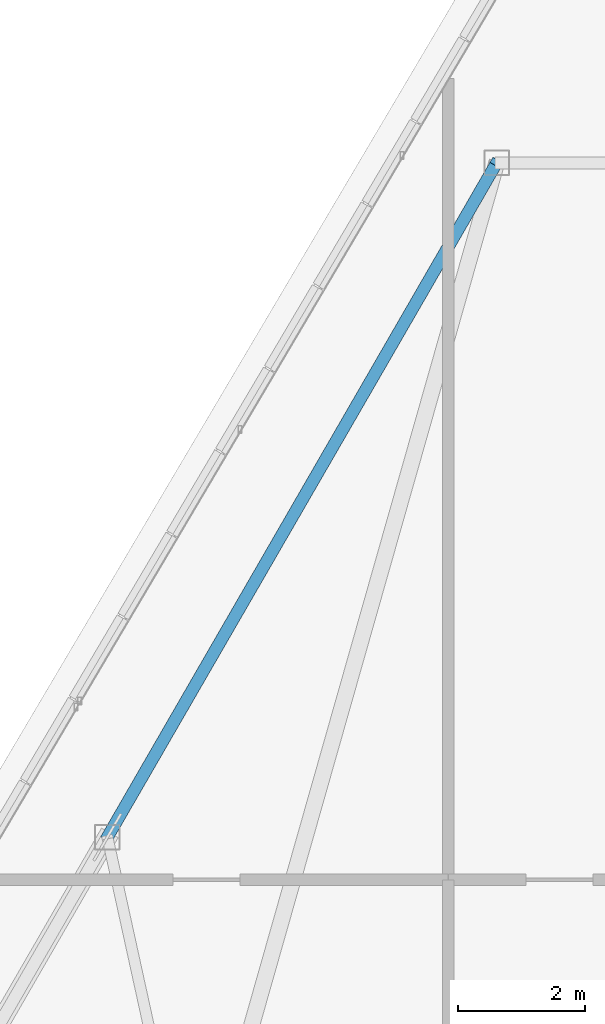
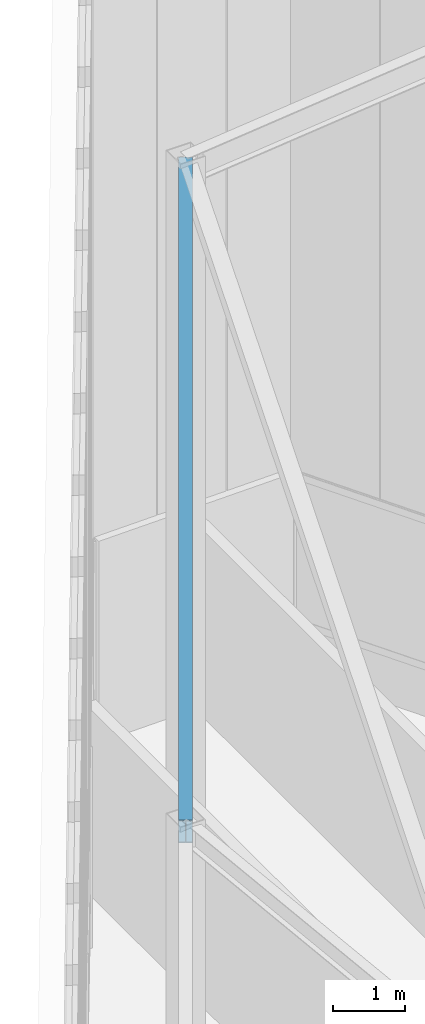
# One storey, part 35 of 50: 1 beam.
"""IFC4 building model written with IfcOpenShell, lengths in metres."""

from ifc_helpers import new_model, si_unit, direction, frame, origin, origin_2d, place, context, subcontext, project, spatial, i_section, extrude, source, transform, mapped, material, material_profile, profile_set, type_object, type_shapes, element, save


model = new_model("IFC4")

# Units and contexts
model_context = context("Model", 3, precision=1e-05, world=origin(), true_north=direction((0.0, 1.0)))
body_context = subcontext(model_context, "Body", "Model", "MODEL_VIEW")
ifc_project = project(units=[si_unit("LENGTHUNIT", "METRE"), si_unit("AREAUNIT", "SQUARE_METRE"), si_unit("VOLUMEUNIT", "CUBIC_METRE"), si_unit("PLANEANGLEUNIT", "RADIAN"), si_unit("MASSUNIT", "GRAM", prefix="KILO")], contexts=[model_context])

# Site, building, storey
site_placement = place(None, origin())
site = spatial("IfcSite", under=ifc_project, at=site_placement, CompositionType="ELEMENT")
building_placement = place(site_placement, origin())
building = spatial("IfcBuilding", under=site, at=building_placement, Name="Caelisora Broadcast Tower", CompositionType="ELEMENT")
storey_placement = place(building_placement, frame((0.0, 0.0, 303.39990234375)))
storey = spatial("IfcBuildingStorey", under=building, at=storey_placement, Name="L80", CompositionType="ELEMENT", Elevation=303.39990234375)

# Beam
ifc_material = material(Name="Steel Grade 350 (AS/NZS 3679.1)", Category="steel")
ifc_material_profile = material_profile(ifc_material, i_section(OverallWidth=0.19091796875, OverallDepth=0.46044921875, WebThickness=0.010009765625, FlangeThickness=0.01611328125, at=origin_2d()), Name="Steel Grade 350 (AS/NZS 3679.1)")
ifc_profile_set = profile_set([ifc_material_profile], Name="Steel Grade 350 (AS/NZS 3679.1)")
beam_type = type_object("IfcBeamType", Name="RB01", PredefinedType="USERDEFINED", material=ifc_profile_set)
shared_shape = source(origin(), body_context, "Body", "SweptSolid", [
    extrude(i_section(OverallWidth=0.19091796875, OverallDepth=0.46044921875, WebThickness=0.010009765625, FlangeThickness=0.01611328125, at=origin_2d()), origin(), (0.0, 0.0, 1.0), 12.505126953125),
])
type_shapes(beam_type, [shared_shape])
beam_placement = place(storey_placement, frame((35.26123046875, 46.75634765625, 12.677490234375), z_axis=(-0.4888269388, -0.84667137371, -0.210227992531), x_axis=(0.866024963853, -0.500000761984, 0.0)))
element("IfcBeam", 1, at=beam_placement, inside=storey, type_object=beam_type, Name="L80 beam RB01", ObjectType="RAFTER", PredefinedType="USERDEFINED", context=body_context, shape_type="MappedRepresentation", body=[
    mapped(shared_shape, transform((0.0, 0.0, 0.0), scale=1.0)),
])

save(model, "model.ifc")
